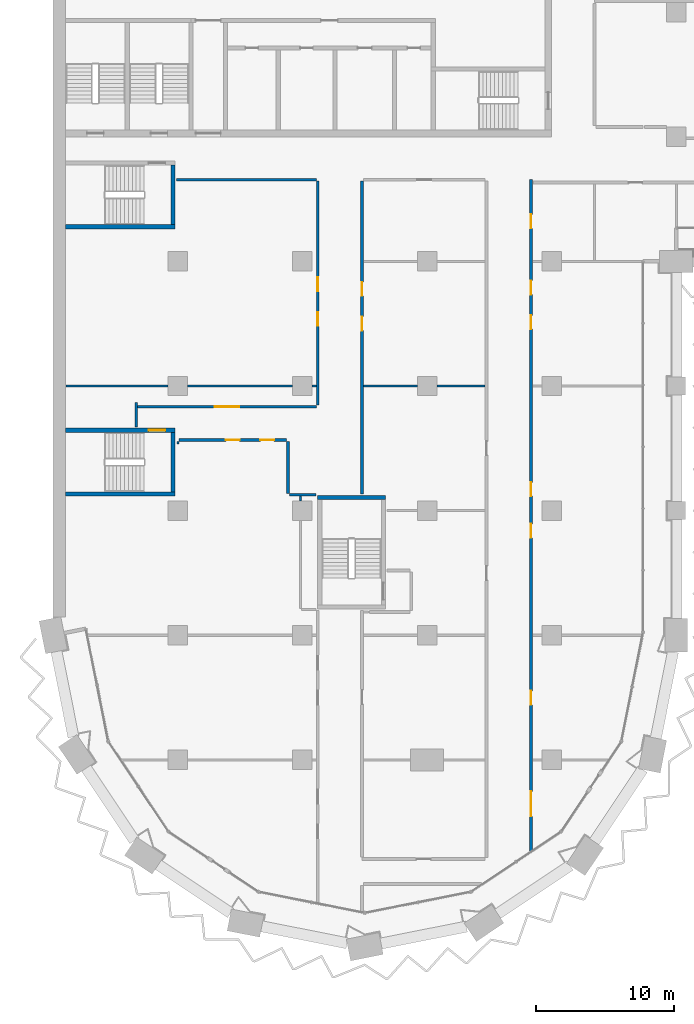
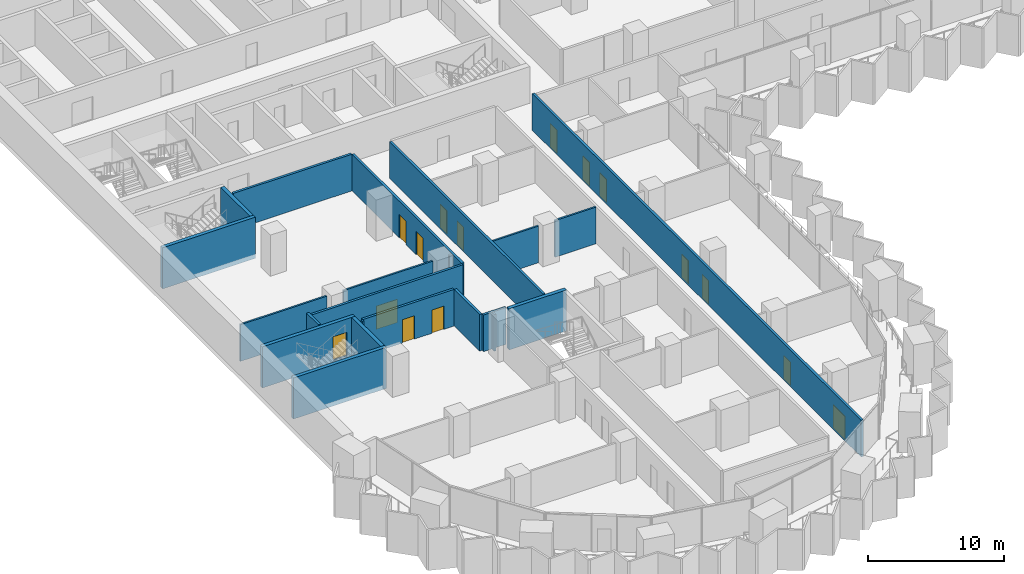
# One storey, part 11 of 29: 22 walls, 15 doors, 15 openings.
"""IFC4 building model written with IfcOpenShell, lengths in metres."""

from ifc_helpers import new_model, si_unit, direction, frame, frame_2d, origin, place, context, subcontext, project, spatial, rectangle, extrude, material, layer, layer_set, type_object, element, fill, save


model = new_model("IFC4")

# Units and contexts
model_context = context("Model", 3, precision=1e-05, world=origin(), true_north=direction((0.0, 1.0)))
body_context = subcontext(model_context, "Body", "Model", "MODEL_VIEW")
ifc_project = project(units=[si_unit("LENGTHUNIT", "METRE"), si_unit("AREAUNIT", "SQUARE_METRE"), si_unit("VOLUMEUNIT", "CUBIC_METRE"), si_unit("PLANEANGLEUNIT", "RADIAN"), si_unit("MASSUNIT", "GRAM", prefix="KILO")], contexts=[model_context])

# Site, building, storey
site_placement = place(None, origin())
site = spatial("IfcSite", under=ifc_project, at=site_placement, CompositionType="ELEMENT")
building_placement = place(site_placement, origin())
building = spatial("IfcBuilding", under=site, at=building_placement, Name="Hunhe Ridgeline Campus", CompositionType="ELEMENT")
storey_placement = place(building_placement, frame((0.0, 0.0, 54.300048828125)))
storey = spatial("IfcBuildingStorey", under=building, at=storey_placement, Name="L12", CompositionType="ELEMENT", Elevation=54.300048828125)

# Wall
ifc_material_1 = material(Name="Gypsum board partition")
ifc_layer_1 = layer(ifc_material_1, 0.199951171875)
ifc_layer_set_1 = layer_set([ifc_layer_1], Name="Corridor partition 200 gypsum board on steel studs")
wall_type_1 = type_object("IfcWallType", Name="Corridor partition 200 gypsum board on steel studs", PredefinedType="PARTITIONING", material=ifc_layer_set_1)
wall_1_placement = place(storey_placement, frame((18.99609375, 37.14990234375, 0.0), z_axis=(0.0, 0.0, 1.0), x_axis=(-1.0, 0.0, 0.0)))
element("IfcWall", 1, at=wall_1_placement, inside=storey, type_object=wall_type_1, Name="F-L12-wall-023", PredefinedType="PARTITIONING", context=body_context, shape_type="SweptSolid", body=[
    extrude(rectangle(XDim=1.946044921875, YDim=0.199951171875, at=frame_2d((0.97314453125, 0.0))), origin(), (0.0, 0.0, 1.0), 3.300048828125),
])

# Wall, openings, doors
wall_2_placement = place(storey_placement, frame((16.85009765625, 41.10009765625, 0.0), z_axis=(0.0, 0.0, 1.0), x_axis=(-1.0, 0.0, 0.0)))
wall_2 = element("IfcWall", 2, at=wall_2_placement, inside=storey, type_object=wall_type_1, Name="F-L12-wall-024", PredefinedType="PARTITIONING", context=body_context, shape_type="SweptSolid", body=[
    extrude(rectangle(XDim=7.775146484375, YDim=0.199951171875, at=frame_2d((3.8876953125, 0.0))), origin(), (0.0, 0.0, 1.0), 3.300048828125),
])
opening_1_placement = place(wall_2_placement, frame((3.387451171875, 0.0, 0.0)))
opening_1 = element("IfcOpeningElement", 3, at=opening_1_placement, cuts=wall_2, Name="Opening RD1-013", PredefinedType="OPENING", context=body_context, shape_type="SweptSolid", body=[
    extrude(rectangle(XDim=1.0, YDim=2.10009765625, at=frame_2d((0.5, 1.050048828125))), frame((0.0, 0.10009765625, 0.0), z_axis=(0.0, -1.0, 0.0), x_axis=(1.0, 0.0, 0.0)), (0.0, 0.0, 1.0), 0.199951171875),
])
opening_2_placement = place(wall_2_placement, frame((0.887451171875, 0.0, 0.0)))
opening_2 = element("IfcOpeningElement", 4, at=opening_2_placement, cuts=wall_2, Name="Opening RD1-014", PredefinedType="OPENING", context=body_context, shape_type="SweptSolid", body=[
    extrude(rectangle(XDim=1.0, YDim=2.10009765625, at=frame_2d((0.5, 1.050048828125))), frame((0.0, 0.10009765625, 0.0), z_axis=(0.0, -1.0, 0.0), x_axis=(1.0, 0.0, 0.0)), (0.0, 0.0, 1.0), 0.199951171875),
])
ifc_material_2 = material(Name="Timber door leaf", Category="wood")
door_type_1 = type_object("IfcDoorType", Name="Single fire door 1000x2100 timber FD60", OperationType="NOTDEFINED", PredefinedType="DOOR", material=ifc_material_2)
door_1_placement = place(opening_1_placement, frame((1.0, 0.0, 0.0), z_axis=(0.0, 0.0, 1.0), x_axis=(-1.0, 0.0, 0.0)))
door_1 = element("IfcDoor", 5, at=door_1_placement, inside=storey, type_object=door_type_1, Name="F-L12-door-013", OperationType="SINGLE_SWING_RIGHT", OverallHeight=2.10009765625, OverallWidth=1.0, PredefinedType="DOOR", context=body_context, shape_type="SweptSolid", body=[
    extrude(rectangle(XDim=1.0, YDim=2.10009765625, at=frame_2d((0.5, 1.050048828125))), frame((0.0, 0.02490234375, 0.0), z_axis=(0.0, -1.0, 0.0), x_axis=(1.0, 0.0, 0.0)), (0.0, 0.0, 1.0), 0.050048828125),
])
fill(opening_1, door_1)
door_2_placement = place(opening_2_placement, frame((1.0, 0.0, 0.0), z_axis=(0.0, 0.0, 1.0), x_axis=(-1.0, 0.0, 0.0)))
door_2 = element("IfcDoor", 6, at=door_2_placement, inside=storey, type_object=door_type_1, Name="F-L12-door-014", OperationType="SINGLE_SWING_RIGHT", OverallHeight=2.10009765625, OverallWidth=1.0, PredefinedType="DOOR", context=body_context, shape_type="SweptSolid", body=[
    extrude(rectangle(XDim=1.0, YDim=2.10009765625, at=frame_2d((0.5, 1.050048828125))), frame((0.0, 0.02490234375, 0.0), z_axis=(0.0, -1.0, 0.0), x_axis=(1.0, 0.0, 0.0)), (0.0, 0.0, 1.0), 0.050048828125),
])
fill(opening_2, door_2)

# Wall, opening, door
wall_3_placement = place(storey_placement, frame((6.10009765625, 43.5, 0.0), z_axis=(0.0, 0.0, 1.0), x_axis=(1.0, 0.0, 0.0)))
wall_3 = element("IfcWall", 7, at=wall_3_placement, inside=storey, type_object=wall_type_1, Name="F-L12-wall-025", PredefinedType="PARTITIONING", context=body_context, shape_type="SweptSolid", body=[
    extrude(rectangle(XDim=12.89990234375, YDim=0.199951171875, at=frame_2d((6.449951171875, 0.0))), origin(), (0.0, 0.0, 1.0), 3.300048828125),
])
opening_3_placement = place(wall_3_placement, frame((5.550048828125, 0.0, 0.0)))
opening_3 = element("IfcOpeningElement", 8, at=opening_3_placement, cuts=wall_3, Name="Opening RD2-015", PredefinedType="OPENING", context=body_context, shape_type="SweptSolid", body=[
    extrude(rectangle(XDim=1.800048828125, YDim=2.10009765625, at=frame_2d((0.89990234375, 1.050048828125))), frame((0.0, 0.10009765625, 0.0), z_axis=(0.0, -1.0, 0.0), x_axis=(1.0, 0.0, 0.0)), (0.0, 0.0, 1.0), 0.199951171875),
])
door_type_2 = type_object("IfcDoorType", Name="Double fire door 1800x2100 timber FD60", OperationType="DOUBLE_DOOR_SINGLE_SWING", PredefinedType="DOOR", material=ifc_material_2)
door_3_placement = place(opening_3_placement, origin())
door_3 = element("IfcDoor", 9, at=door_3_placement, inside=storey, type_object=door_type_2, Name="F-L12-door-015", OperationType="DOUBLE_DOOR_SINGLE_SWING", OverallHeight=2.10009765625, OverallWidth=1.800048828125, PredefinedType="DOOR", context=body_context, shape_type="SweptSolid", body=[
    extrude(rectangle(XDim=1.800048828125, YDim=2.10009765625, at=frame_2d((0.89990234375, 1.050048828125))), frame((0.0, 0.02490234375, 0.0), z_axis=(0.0, -1.0, 0.0), x_axis=(1.0, 0.0, 0.0)), (0.0, 0.0, 1.0), 0.050048828125),
])
fill(opening_3, door_3)

# Walls
wall_4_placement = place(storey_placement, frame((19.0, 59.89990234375, 0.0), z_axis=(0.0, 0.0, 1.0), x_axis=(-1.0, 0.0, 0.0)))
element("IfcWall", 10, at=wall_4_placement, inside=storey, type_object=wall_type_1, Name="F-L12-wall-038", PredefinedType="PARTITIONING", context=body_context, shape_type="SweptSolid", body=[
    extrude(rectangle(XDim=10.095947265625, YDim=0.199951171875, at=frame_2d((5.0478515625, 0.0))), origin(), (0.0, 0.0, 1.0), 3.300048828125),
])
wall_5_placement = place(storey_placement, frame((6.0, 42.053955078125, 0.0), z_axis=(0.0, 0.0, 1.0), x_axis=(0.0, 1.0, 0.0)))
element("IfcWall", 11, at=wall_5_placement, inside=storey, type_object=wall_type_1, Name="F-L12-wall-055", PredefinedType="PARTITIONING", context=body_context, shape_type="SweptSolid", body=[
    extrude(rectangle(XDim=1.74609375, YDim=0.199951171875, at=frame_2d((0.873046875, 0.0))), origin(), (0.0, 0.0, 1.0), 3.300048828125),
])
wall_6_placement = place(storey_placement, frame((16.949951171875, 37.25, 0.0), z_axis=(0.0, 0.0, 1.0), x_axis=(0.0, 1.0, 0.0)))
element("IfcWall", 12, at=wall_6_placement, inside=storey, type_object=wall_type_1, Name="F-L12-wall-057", PredefinedType="PARTITIONING", context=body_context, shape_type="SweptSolid", body=[
    extrude(rectangle(XDim=3.75, YDim=0.199951171875, at=frame_2d((1.875, 0.0))), origin(), (0.0, 0.0, 1.0), 3.300048828125),
])

# Wall, openings, doors
wall_7_placement = place(storey_placement, frame((19.10009765625, 43.6181640625, 0.0), z_axis=(0.0, 0.0, 1.0), x_axis=(0.0, 1.0, 0.0)))
wall_7 = element("IfcWall", 13, at=wall_7_placement, inside=storey, type_object=wall_type_1, Name="F-L12-wall-061", PredefinedType="PARTITIONING", context=body_context, shape_type="SweptSolid", body=[
    extrude(rectangle(XDim=16.181884765625, YDim=0.199951171875, at=frame_2d((8.0908203125, 0.0))), origin(), (0.0, 0.0, 1.0), 3.300048828125),
])
opening_4_placement = place(wall_7_placement, frame((5.72314453125, 0.0, 0.0)))
opening_4 = element("IfcOpeningElement", 14, at=opening_4_placement, cuts=wall_7, Name="Opening RD1-018", PredefinedType="OPENING", context=body_context, shape_type="SweptSolid", body=[
    extrude(rectangle(XDim=1.0, YDim=2.10009765625, at=frame_2d((0.5, 1.050048828125))), frame((0.0, 0.10009765625, 0.0), z_axis=(0.0, -1.0, 0.0), x_axis=(1.0, 0.0, 0.0)), (0.0, 0.0, 1.0), 0.199951171875),
])
opening_5_placement = place(wall_7_placement, frame((8.22314453125, 0.0, 0.0)))
opening_5 = element("IfcOpeningElement", 15, at=opening_5_placement, cuts=wall_7, Name="Opening RD1-021", PredefinedType="OPENING", context=body_context, shape_type="SweptSolid", body=[
    extrude(rectangle(XDim=1.0, YDim=2.10009765625, at=frame_2d((0.5, 1.050048828125))), frame((0.0, 0.10009765625, 0.0), z_axis=(0.0, -1.0, 0.0), x_axis=(1.0, 0.0, 0.0)), (0.0, 0.0, 1.0), 0.199951171875),
])
door_4_placement = place(opening_4_placement, frame((1.0, 0.0, 0.0), z_axis=(0.0, 0.0, 1.0), x_axis=(-1.0, 0.0, 0.0)))
door_4 = element("IfcDoor", 16, at=door_4_placement, inside=storey, type_object=door_type_1, Name="F-L12-door-018", OperationType="SINGLE_SWING_RIGHT", OverallHeight=2.10009765625, OverallWidth=1.0, PredefinedType="DOOR", context=body_context, shape_type="SweptSolid", body=[
    extrude(rectangle(XDim=1.0, YDim=2.10009765625, at=frame_2d((0.5, 1.050048828125))), frame((0.0, 0.02490234375, 0.0), z_axis=(0.0, -1.0, 0.0), x_axis=(1.0, 0.0, 0.0)), (0.0, 0.0, 1.0), 0.050048828125),
])
fill(opening_4, door_4)
door_5_placement = place(opening_5_placement, frame((1.0, 0.0, 0.0), z_axis=(0.0, 0.0, 1.0), x_axis=(-1.0, 0.0, 0.0)))
door_5 = element("IfcDoor", 17, at=door_5_placement, inside=storey, type_object=door_type_1, Name="F-L12-door-021", OperationType="SINGLE_SWING_RIGHT", OverallHeight=2.10009765625, OverallWidth=1.0, PredefinedType="DOOR", context=body_context, shape_type="SweptSolid", body=[
    extrude(rectangle(XDim=1.0, YDim=2.10009765625, at=frame_2d((0.5, 1.050048828125))), frame((0.0, 0.02490234375, 0.0), z_axis=(0.0, -1.0, 0.0), x_axis=(1.0, 0.0, 0.0)), (0.0, 0.0, 1.0), 0.050048828125),
])
fill(opening_5, door_5)

wall_8_placement = place(storey_placement, frame((22.300048828125, 59.800048828125, 0.0), z_axis=(0.0, 0.0, 1.0), x_axis=(0.0, -1.0, 0.0)))
wall_8 = element("IfcWall", 18, at=wall_8_placement, inside=storey, type_object=wall_type_1, Name="F-L12-wall-064", PredefinedType="PARTITIONING", context=body_context, shape_type="SweptSolid", body=[
    extrude(rectangle(XDim=22.595947265625, YDim=0.199951171875, at=frame_2d((11.2978515625, 0.0))), origin(), (0.0, 0.0, 1.0), 3.300048828125),
])
opening_6_placement = place(wall_8_placement, frame((9.793701171875, 0.0, 0.0)))
opening_6 = element("IfcOpeningElement", 19, at=opening_6_placement, cuts=wall_8, Name="Opening RD1-016", PredefinedType="OPENING", context=body_context, shape_type="SweptSolid", body=[
    extrude(rectangle(XDim=1.0, YDim=2.10009765625, at=frame_2d((0.5, 1.050048828125))), frame((0.0, 0.10009765625, 0.0), z_axis=(0.0, -1.0, 0.0), x_axis=(1.0, 0.0, 0.0)), (0.0, 0.0, 1.0), 0.199951171875),
])
opening_7_placement = place(wall_8_placement, frame((7.293701171875, 0.0, 0.0)))
opening_7 = element("IfcOpeningElement", 20, at=opening_7_placement, cuts=wall_8, Name="Opening RD1-019", PredefinedType="OPENING", context=body_context, shape_type="SweptSolid", body=[
    extrude(rectangle(XDim=1.0, YDim=2.10009765625, at=frame_2d((0.5, 1.050048828125))), frame((0.0, 0.10009765625, 0.0), z_axis=(0.0, -1.0, 0.0), x_axis=(1.0, 0.0, 0.0)), (0.0, 0.0, 1.0), 0.199951171875),
])
door_6_placement = place(opening_6_placement, frame((1.0, 0.0, 0.0), z_axis=(0.0, 0.0, 1.0), x_axis=(-1.0, 0.0, 0.0)))
door_6 = element("IfcDoor", 21, at=door_6_placement, inside=storey, type_object=door_type_1, Name="F-L12-door-016", OperationType="SINGLE_SWING_RIGHT", OverallHeight=2.10009765625, OverallWidth=1.0, PredefinedType="DOOR", context=body_context, shape_type="SweptSolid", body=[
    extrude(rectangle(XDim=1.0, YDim=2.10009765625, at=frame_2d((0.5, 1.050048828125))), frame((0.0, 0.02490234375, 0.0), z_axis=(0.0, -1.0, 0.0), x_axis=(1.0, 0.0, 0.0)), (0.0, 0.0, 1.0), 0.050048828125),
])
fill(opening_6, door_6)
door_7_placement = place(opening_7_placement, frame((1.0, 0.0, 0.0), z_axis=(0.0, 0.0, 1.0), x_axis=(-1.0, 0.0, 0.0)))
door_7 = element("IfcDoor", 22, at=door_7_placement, inside=storey, type_object=door_type_1, Name="F-L12-door-019", OperationType="SINGLE_SWING_RIGHT", OverallHeight=2.10009765625, OverallWidth=1.0, PredefinedType="DOOR", context=body_context, shape_type="SweptSolid", body=[
    extrude(rectangle(XDim=1.0, YDim=2.10009765625, at=frame_2d((0.5, 1.050048828125))), frame((0.0, 0.02490234375, 0.0), z_axis=(0.0, -1.0, 0.0), x_axis=(1.0, 0.0, 0.0)), (0.0, 0.0, 1.0), 0.050048828125),
])
fill(opening_7, door_7)

wall_9_placement = place(storey_placement, frame((34.5, 59.89990234375, 0.0), z_axis=(0.0, 0.0, 1.0), x_axis=(0.0, -1.0, 0.0)))
wall_9 = element("IfcWall", 23, at=wall_9_placement, inside=storey, type_object=wall_type_1, Name="F-L12-wall-067", PredefinedType="PARTITIONING", context=body_context, shape_type="SweptSolid", body=[
    extrude(rectangle(XDim=48.4697265625, YDim=0.199951171875, at=frame_2d((24.23486328125, 0.0))), origin(), (0.0, 0.0, 1.0), 3.300048828125),
])
opening_8_placement = place(wall_9_placement, frame((44.179443359375, 0.0, 0.0)))
opening_8 = element("IfcOpeningElement", 24, at=opening_8_placement, cuts=wall_9, Name="Opening RD2-003", PredefinedType="OPENING", context=body_context, shape_type="SweptSolid", body=[
    extrude(rectangle(XDim=1.800048828125, YDim=2.10009765625, at=frame_2d((0.89990234375, 1.050048828125))), frame((0.0, 0.10009765625, 0.0), z_axis=(0.0, -1.0, 0.0), x_axis=(1.0, 0.0, 0.0)), (0.0, 0.0, 1.0), 0.199951171875),
])
opening_9_placement = place(wall_9_placement, frame((36.919677734375, 0.0, 0.0)))
opening_9 = element("IfcOpeningElement", 25, at=opening_9_placement, cuts=wall_9, Name="Opening RD1-007", PredefinedType="OPENING", context=body_context, shape_type="SweptSolid", body=[
    extrude(rectangle(XDim=1.0, YDim=2.10009765625, at=frame_2d((0.5, 1.050048828125))), frame((0.0, 0.10009765625, 0.0), z_axis=(0.0, -1.0, 0.0), x_axis=(1.0, 0.0, 0.0)), (0.0, 0.0, 1.0), 0.199951171875),
])
opening_10_placement = place(wall_9_placement, frame((24.858154296875, 0.0, 0.0)))
opening_10 = element("IfcOpeningElement", 26, at=opening_10_placement, cuts=wall_9, Name="Opening RD1-010", PredefinedType="OPENING", context=body_context, shape_type="SweptSolid", body=[
    extrude(rectangle(XDim=1.0, YDim=2.10009765625, at=frame_2d((0.5, 1.050048828125))), frame((0.0, 0.10009765625, 0.0), z_axis=(0.0, -1.0, 0.0), x_axis=(1.0, 0.0, 0.0)), (0.0, 0.0, 1.0), 0.199951171875),
])
opening_11_placement = place(wall_9_placement, frame((21.858154296875, 0.0, 0.0)))
opening_11 = element("IfcOpeningElement", 27, at=opening_11_placement, cuts=wall_9, Name="Opening RD1-011", PredefinedType="OPENING", context=body_context, shape_type="SweptSolid", body=[
    extrude(rectangle(XDim=1.0, YDim=2.10009765625, at=frame_2d((0.5, 1.050048828125))), frame((0.0, 0.10009765625, 0.0), z_axis=(0.0, -1.0, 0.0), x_axis=(1.0, 0.0, 0.0)), (0.0, 0.0, 1.0), 0.199951171875),
])
opening_12_placement = place(wall_9_placement, frame((9.796630859375, 0.0, 0.0)))
opening_12 = element("IfcOpeningElement", 28, at=opening_12_placement, cuts=wall_9, Name="Opening RD1-017", PredefinedType="OPENING", context=body_context, shape_type="SweptSolid", body=[
    extrude(rectangle(XDim=1.0, YDim=2.10009765625, at=frame_2d((0.5, 1.050048828125))), frame((0.0, 0.10009765625, 0.0), z_axis=(0.0, -1.0, 0.0), x_axis=(1.0, 0.0, 0.0)), (0.0, 0.0, 1.0), 0.199951171875),
])
opening_13_placement = place(wall_9_placement, frame((7.296630859375, 0.0, 0.0)))
opening_13 = element("IfcOpeningElement", 29, at=opening_13_placement, cuts=wall_9, Name="Opening RD1-020", PredefinedType="OPENING", context=body_context, shape_type="SweptSolid", body=[
    extrude(rectangle(XDim=1.0, YDim=2.10009765625, at=frame_2d((0.5, 1.050048828125))), frame((0.0, 0.10009765625, 0.0), z_axis=(0.0, -1.0, 0.0), x_axis=(1.0, 0.0, 0.0)), (0.0, 0.0, 1.0), 0.199951171875),
])
opening_14_placement = place(wall_9_placement, frame((2.513671875, 0.0, 0.0)))
opening_14 = element("IfcOpeningElement", 30, at=opening_14_placement, cuts=wall_9, Name="Opening RD1-022", PredefinedType="OPENING", context=body_context, shape_type="SweptSolid", body=[
    extrude(rectangle(XDim=1.0, YDim=2.10009765625, at=frame_2d((0.5, 1.050048828125))), frame((0.0, 0.10009765625, 0.0), z_axis=(0.0, -1.0, 0.0), x_axis=(1.0, 0.0, 0.0)), (0.0, 0.0, 1.0), 0.199951171875),
])
door_8_placement = place(opening_8_placement, origin())
door_8 = element("IfcDoor", 31, at=door_8_placement, inside=storey, type_object=door_type_2, Name="F-L12-door-003", OperationType="DOUBLE_DOOR_SINGLE_SWING", OverallHeight=2.10009765625, OverallWidth=1.800048828125, PredefinedType="DOOR", context=body_context, shape_type="SweptSolid", body=[
    extrude(rectangle(XDim=1.800048828125, YDim=2.10009765625, at=frame_2d((0.89990234375, 1.050048828125))), frame((0.0, 0.02490234375, 0.0), z_axis=(0.0, -1.0, 0.0), x_axis=(1.0, 0.0, 0.0)), (0.0, 0.0, 1.0), 0.050048828125),
])
fill(opening_8, door_8)
door_9_placement = place(opening_9_placement, origin())
door_9 = element("IfcDoor", 32, at=door_9_placement, inside=storey, type_object=door_type_1, Name="F-L12-door-007", OperationType="SINGLE_SWING_LEFT", OverallHeight=2.10009765625, OverallWidth=1.0, PredefinedType="DOOR", context=body_context, shape_type="SweptSolid", body=[
    extrude(rectangle(XDim=1.0, YDim=2.10009765625, at=frame_2d((0.5, 1.050048828125))), frame((0.0, 0.02490234375, 0.0), z_axis=(0.0, -1.0, 0.0), x_axis=(1.0, 0.0, 0.0)), (0.0, 0.0, 1.0), 0.050048828125),
])
fill(opening_9, door_9)
door_10_placement = place(opening_10_placement, frame((1.0, 0.0, 0.0), z_axis=(0.0, 0.0, 1.0), x_axis=(-1.0, 0.0, 0.0)))
door_10 = element("IfcDoor", 33, at=door_10_placement, inside=storey, type_object=door_type_1, Name="F-L12-door-010", OperationType="SINGLE_SWING_LEFT", OverallHeight=2.10009765625, OverallWidth=1.0, PredefinedType="DOOR", context=body_context, shape_type="SweptSolid", body=[
    extrude(rectangle(XDim=1.0, YDim=2.10009765625, at=frame_2d((0.5, 1.050048828125))), frame((0.0, 0.02490234375, 0.0), z_axis=(0.0, -1.0, 0.0), x_axis=(1.0, 0.0, 0.0)), (0.0, 0.0, 1.0), 0.050048828125),
])
fill(opening_10, door_10)
door_11_placement = place(opening_11_placement, frame((1.0, 0.0, 0.0), z_axis=(0.0, 0.0, 1.0), x_axis=(-1.0, 0.0, 0.0)))
door_11 = element("IfcDoor", 34, at=door_11_placement, inside=storey, type_object=door_type_1, Name="F-L12-door-011", OperationType="SINGLE_SWING_RIGHT", OverallHeight=2.10009765625, OverallWidth=1.0, PredefinedType="DOOR", context=body_context, shape_type="SweptSolid", body=[
    extrude(rectangle(XDim=1.0, YDim=2.10009765625, at=frame_2d((0.5, 1.050048828125))), frame((0.0, 0.02490234375, 0.0), z_axis=(0.0, -1.0, 0.0), x_axis=(1.0, 0.0, 0.0)), (0.0, 0.0, 1.0), 0.050048828125),
])
fill(opening_11, door_11)
door_12_placement = place(opening_12_placement, frame((1.0, 0.0, 0.0), z_axis=(0.0, 0.0, 1.0), x_axis=(-1.0, 0.0, 0.0)))
door_12 = element("IfcDoor", 35, at=door_12_placement, inside=storey, type_object=door_type_1, Name="F-L12-door-017", OperationType="SINGLE_SWING_RIGHT", OverallHeight=2.10009765625, OverallWidth=1.0, PredefinedType="DOOR", context=body_context, shape_type="SweptSolid", body=[
    extrude(rectangle(XDim=1.0, YDim=2.10009765625, at=frame_2d((0.5, 1.050048828125))), frame((0.0, 0.02490234375, 0.0), z_axis=(0.0, -1.0, 0.0), x_axis=(1.0, 0.0, 0.0)), (0.0, 0.0, 1.0), 0.050048828125),
])
fill(opening_12, door_12)
door_13_placement = place(opening_13_placement, frame((1.0, 0.0, 0.0), z_axis=(0.0, 0.0, 1.0), x_axis=(-1.0, 0.0, 0.0)))
door_13 = element("IfcDoor", 36, at=door_13_placement, inside=storey, type_object=door_type_1, Name="F-L12-door-020", OperationType="SINGLE_SWING_RIGHT", OverallHeight=2.10009765625, OverallWidth=1.0, PredefinedType="DOOR", context=body_context, shape_type="SweptSolid", body=[
    extrude(rectangle(XDim=1.0, YDim=2.10009765625, at=frame_2d((0.5, 1.050048828125))), frame((0.0, 0.02490234375, 0.0), z_axis=(0.0, -1.0, 0.0), x_axis=(1.0, 0.0, 0.0)), (0.0, 0.0, 1.0), 0.050048828125),
])
fill(opening_13, door_13)
door_14_placement = place(opening_14_placement, origin())
door_14 = element("IfcDoor", 37, at=door_14_placement, inside=storey, type_object=door_type_1, Name="F-L12-door-022", OperationType="SINGLE_SWING_LEFT", OverallHeight=2.10009765625, OverallWidth=1.0, PredefinedType="DOOR", context=body_context, shape_type="SweptSolid", body=[
    extrude(rectangle(XDim=1.0, YDim=2.10009765625, at=frame_2d((0.5, 1.050048828125))), frame((0.0, 0.02490234375, 0.0), z_axis=(0.0, -1.0, 0.0), x_axis=(1.0, 0.0, 0.0)), (0.0, 0.0, 1.0), 0.050048828125),
])
fill(opening_14, door_14)

# Walls
ifc_layer_2 = layer(ifc_material_1, 0.14990234375)
ifc_layer_set_2 = layer_set([ifc_layer_2], Name="Room partition 150 gypsum board on steel studs")
wall_type_2 = type_object("IfcWallType", Name="Room partition 150 gypsum board on steel studs", PredefinedType="PARTITIONING", material=ifc_layer_set_2)
wall_10_placement = place(storey_placement, frame((0.919921875, 45.0, 0.0), z_axis=(0.0, 0.0, 1.0), x_axis=(1.0, 0.0, 0.0)))
element("IfcWall", 38, at=wall_10_placement, inside=storey, type_object=wall_type_2, Name="F-L12-wall-026", PredefinedType="PARTITIONING", context=body_context, shape_type="SweptSolid", body=[
    extrude(rectangle(XDim=7.380126953125, YDim=0.14990234375, at=frame_2d((3.68994140625, 0.0))), origin(), (0.0, 0.0, 1.0), 3.300048828125),
])
wall_11_placement = place(storey_placement, frame((9.699951171875, 45.0, 0.0), z_axis=(0.0, 0.0, 1.0), x_axis=(1.0, 0.0, 0.0)))
element("IfcWall", 39, at=wall_11_placement, inside=storey, type_object=wall_type_2, Name="F-L12-wall-027", PredefinedType="PARTITIONING", context=body_context, shape_type="SweptSolid", body=[
    extrude(rectangle(XDim=7.60009765625, YDim=0.14990234375, at=frame_2d((3.800048828125, 0.0))), origin(), (0.0, 0.0, 1.0), 3.300048828125),
])
wall_12_placement = place(storey_placement, frame((18.699951171875, 45.0, 0.0), z_axis=(0.0, 0.0, 1.0), x_axis=(1.0, 0.0, 0.0)))
element("IfcWall", 40, at=wall_12_placement, inside=storey, type_object=wall_type_2, Name="F-L12-wall-028", PredefinedType="PARTITIONING", context=body_context, shape_type="SweptSolid", body=[
    extrude(rectangle(XDim=0.300048828125, YDim=0.14990234375, at=frame_2d((0.14990234375, 0.0))), origin(), (0.0, 0.0, 1.0), 3.300048828125),
])
wall_13_placement = place(storey_placement, frame((22.39990234375, 45.0, 0.0), z_axis=(0.0, 0.0, 1.0), x_axis=(1.0, 0.0, 0.0)))
element("IfcWall", 41, at=wall_13_placement, inside=storey, type_object=wall_type_2, Name="F-L12-wall-029", PredefinedType="PARTITIONING", context=body_context, shape_type="SweptSolid", body=[
    extrude(rectangle(XDim=3.900146484375, YDim=0.14990234375, at=frame_2d((1.9501953125, 0.0))), origin(), (0.0, 0.0, 1.0), 3.300048828125),
])
wall_14_placement = place(storey_placement, frame((27.699951171875, 45.0, 0.0), z_axis=(0.0, 0.0, 1.0), x_axis=(1.0, 0.0, 0.0)))
element("IfcWall", 42, at=wall_14_placement, inside=storey, type_object=wall_type_2, Name="F-L12-wall-030", PredefinedType="PARTITIONING", context=body_context, shape_type="SweptSolid", body=[
    extrude(rectangle(XDim=3.5, YDim=0.14990234375, at=frame_2d((1.75, 0.0))), origin(), (0.0, 0.0, 1.0), 3.300048828125),
])
wall_15_placement = place(storey_placement, frame((9.0, 41.0, 0.0), z_axis=(0.0, 0.0, 1.0), x_axis=(0.0, -1.0, 0.0)))
element("IfcWall", 43, at=wall_15_placement, inside=storey, type_object=wall_type_2, Name="F-L12-wall-056", PredefinedType="PARTITIONING", context=body_context, shape_type="SweptSolid", body=[
    extrude(rectangle(XDim=0.199951171875, YDim=0.14990234375, at=frame_2d((0.10009765625, 0.0))), origin(), (0.0, 0.0, 1.0), 3.300048828125),
])
wall_16_placement = place(storey_placement, frame((17.85009765625, 37.050048828125, 0.0), z_axis=(0.0, 0.0, 1.0), x_axis=(0.0, -1.0, 0.0)))
element("IfcWall", 44, at=wall_16_placement, inside=storey, type_object=wall_type_2, Name="F-L12-wall-059", PredefinedType="PARTITIONING", context=body_context, shape_type="SweptSolid", body=[
    extrude(rectangle(XDim=0.35009765625, YDim=0.14990234375, at=frame_2d((0.175048828125, 0.0))), origin(), (0.0, 0.0, 1.0), 3.300048828125),
])
ifc_material_3 = material(Name="Concrete C80", Category="concrete")
ifc_layer_3 = layer(ifc_material_3, 0.300048828125)
ifc_layer_set_3 = layer_set([ifc_layer_3], Name="Stair wall 300 reinforced concrete C80")
wall_type_3 = type_object("IfcWallType", Name="Stair wall 300 reinforced concrete C80", PredefinedType="SOLIDWALL", material=ifc_layer_set_3)
wall_17_placement = place(storey_placement, frame((19.10009765625, 36.949951171875, -0.400146484375), z_axis=(0.0, 0.0, 1.0), x_axis=(1.0, 0.0, 0.0)))
element("IfcWall", 45, at=wall_17_placement, inside=storey, type_object=wall_type_3, Name="L12 core wall 2", PredefinedType="SOLIDWALL", context=body_context, shape_type="SweptSolid", body=[
    extrude(rectangle(XDim=4.89990234375, YDim=0.300048828125, at=frame_2d((2.449951171875, 0.0))), origin(), (0.0, 0.0, 1.0), 3.7001953125),
])
wall_18_placement = place(storey_placement, frame((0.89990234375, 37.199951171875, -0.400146484375), z_axis=(0.0, 0.0, 1.0), x_axis=(1.0, 0.0, 0.0)))
element("IfcWall", 46, at=wall_18_placement, inside=storey, type_object=wall_type_3, Name="L12 core wall 3", PredefinedType="SOLIDWALL", context=body_context, shape_type="SweptSolid", body=[
    extrude(rectangle(XDim=7.900146484375, YDim=0.300048828125, at=frame_2d((3.9501953125, 0.0))), origin(), (0.0, 0.0, 1.0), 3.7001953125),
])

# Wall, opening, door
wall_19_placement = place(storey_placement, frame((0.89990234375, 41.800048828125, -0.400146484375), z_axis=(0.0, 0.0, 1.0), x_axis=(1.0, 0.0, 0.0)))
wall_19 = element("IfcWall", 47, at=wall_19_placement, inside=storey, type_object=wall_type_3, Name="L12 core wall 4", PredefinedType="SOLIDWALL", context=body_context, shape_type="SweptSolid", body=[
    extrude(rectangle(XDim=7.900146484375, YDim=0.300048828125, at=frame_2d((3.9501953125, 0.0))), origin(), (0.0, 0.0, 1.0), 3.7001953125),
])
opening_15_placement = place(wall_19_placement, frame((6.0, 0.0, 0.39990234375)))
opening_15 = element("IfcOpeningElement", 48, at=opening_15_placement, cuts=wall_19, Name="Opening CD21", PredefinedType="OPENING", context=body_context, shape_type="SweptSolid", body=[
    extrude(rectangle(XDim=1.199951171875, YDim=2.10009765625, at=frame_2d((0.60009765625, 1.050048828125))), frame((0.0, 0.14990234375, 0.0), z_axis=(0.0, -1.0, 0.0), x_axis=(1.0, 0.0, 0.0)), (0.0, 0.0, 1.0), 0.300048828125),
])
ifc_material_4 = material(Name="Hollow metal fire door leaf")
door_type_3 = type_object("IfcDoorType", Name="Stair door 1200x2100 FD60", OperationType="SINGLE_SWING_LEFT", PredefinedType="DOOR", material=ifc_material_4)
door_15_placement = place(opening_15_placement, origin())
door_15 = element("IfcDoor", 49, at=door_15_placement, inside=storey, type_object=door_type_3, Name="L12 door W1", OperationType="SINGLE_SWING_LEFT", OverallHeight=2.10009765625, OverallWidth=1.199951171875, PredefinedType="DOOR", context=body_context, shape_type="SweptSolid", body=[
    extrude(rectangle(XDim=1.199951171875, YDim=2.10009765625, at=frame_2d((0.60009765625, 1.050048828125))), frame((0.0, 0.02490234375, 0.0), z_axis=(0.0, -1.0, 0.0), x_axis=(1.0, 0.0, 0.0)), (0.0, 0.0, 1.0), 0.050048828125),
])
fill(opening_15, door_15)

# Walls
wall_20_placement = place(storey_placement, frame((0.89990234375, 56.5, -0.400146484375), z_axis=(0.0, 0.0, 1.0), x_axis=(1.0, 0.0, 0.0)))
element("IfcWall", 50, at=wall_20_placement, inside=storey, type_object=wall_type_3, Name="L12 core wall 5", PredefinedType="SOLIDWALL", context=body_context, shape_type="SweptSolid", body=[
    extrude(rectangle(XDim=7.900146484375, YDim=0.300048828125, at=frame_2d((3.9501953125, 0.0))), origin(), (0.0, 0.0, 1.0), 3.7001953125),
])
wall_21_placement = place(storey_placement, frame((8.64990234375, 37.35009765625, -0.400146484375), z_axis=(0.0, 0.0, 1.0), x_axis=(0.0, 1.0, 0.0)))
element("IfcWall", 51, at=wall_21_placement, inside=storey, type_object=wall_type_3, Name="L12 core wall 39", PredefinedType="SOLIDWALL", context=body_context, shape_type="SweptSolid", body=[
    extrude(rectangle(XDim=4.2998046875, YDim=0.300048828125, at=frame_2d((2.14990234375, 0.0))), origin(), (0.0, 0.0, 1.0), 3.7001953125),
])
wall_22_placement = place(storey_placement, frame((8.64990234375, 56.64990234375, -0.400146484375), z_axis=(0.0, 0.0, 1.0), x_axis=(0.0, 1.0, 0.0)))
element("IfcWall", 52, at=wall_22_placement, inside=storey, type_object=wall_type_3, Name="L12 core wall 40", PredefinedType="SOLIDWALL", context=body_context, shape_type="SweptSolid", body=[
    extrude(rectangle(XDim=4.300048828125, YDim=0.300048828125, at=frame_2d((2.14990234375, 0.0))), origin(), (0.0, 0.0, 1.0), 3.7001953125),
])

save(model, "model.ifc")
